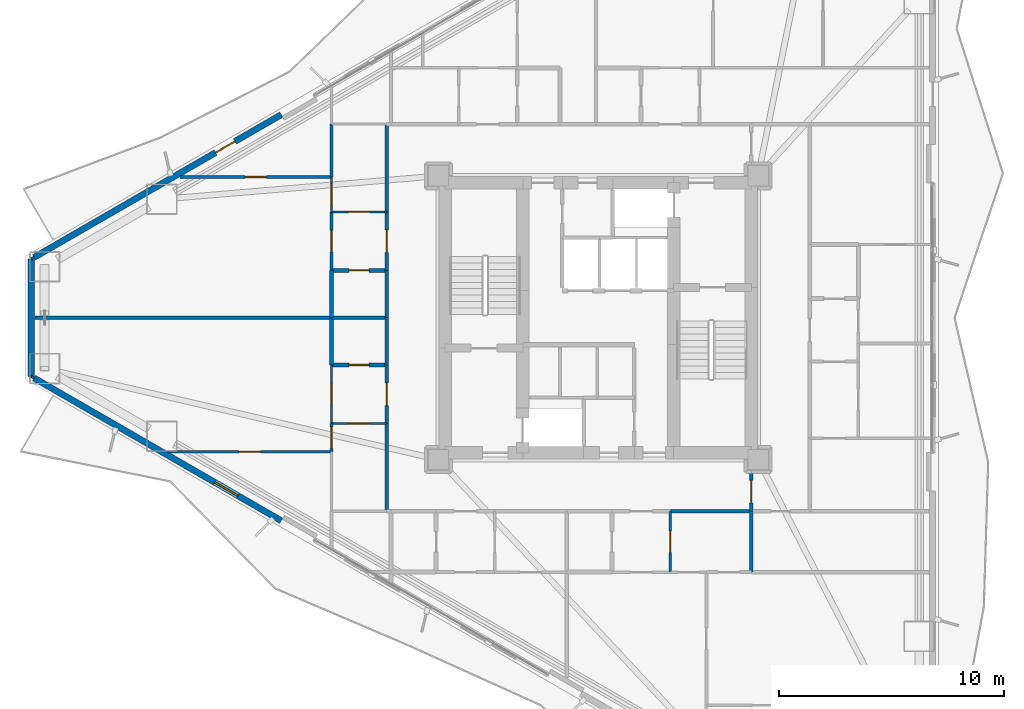
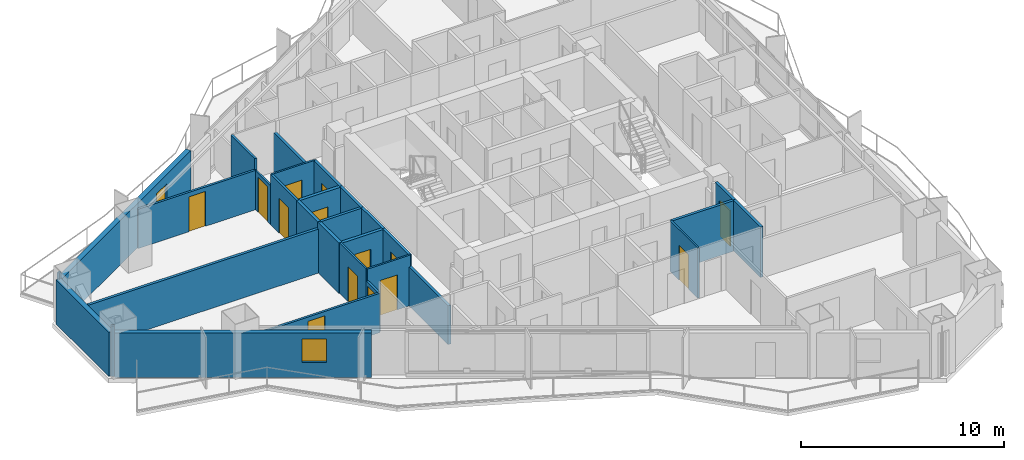
# One storey, part 12 of 18: 30 walls, 15 doors, 1 window, 16 openings.
"""IFC4 building model written with IfcOpenShell, lengths in metres."""

from ifc_helpers import new_model, si_unit, direction, frame, frame_2d, origin, place, context, subcontext, project, spatial, rectangle, extrude, material, layer, layer_set, type_object, element, fill, save


model = new_model("IFC4")

# Units and contexts
model_context = context("Model", 3, precision=1e-05, world=origin(), true_north=direction((0.0, 1.0)))
body_context = subcontext(model_context, "Body", "Model", "MODEL_VIEW")
ifc_project = project(units=[si_unit("LENGTHUNIT", "METRE"), si_unit("AREAUNIT", "SQUARE_METRE"), si_unit("VOLUMEUNIT", "CUBIC_METRE"), si_unit("PLANEANGLEUNIT", "RADIAN"), si_unit("MASSUNIT", "GRAM", prefix="KILO")], contexts=[model_context])

# Site, building, storey
site_placement = place(None, origin())
site = spatial("IfcSite", under=ifc_project, at=site_placement, CompositionType="ELEMENT")
building_placement = place(site_placement, origin())
building = spatial("IfcBuilding", under=site, at=building_placement, Name="Mersakhor Tower and Convention Hall", CompositionType="ELEMENT")
storey_placement = place(building_placement, frame((0.0, 0.0, 35.699951171875)))
storey = spatial("IfcBuildingStorey", under=building, at=storey_placement, Name="L09", CompositionType="ELEMENT", Elevation=35.699951171875)

# Wall
ifc_material_1 = material(Name="Precast concrete C45/55", Category="concrete")
ifc_layer_1 = layer(ifc_material_1, 0.27490234375)
ifc_layer_set_1 = layer_set([ifc_layer_1], Name="Precast concrete C45/55")
wall_type_1 = type_object("IfcWallType", Name="WL-EXT-275", PredefinedType="SOLIDWALL", material=ifc_layer_set_1)
wall_1_placement = place(storey_placement, frame((3.81298828125, 24.144287109375, 0.0), z_axis=(0.0, 0.0, 1.0), x_axis=(0.0, 1.0, 0.0)))
element("IfcWall", 1, at=wall_1_placement, inside=storey, type_object=wall_type_1, Name="L09 Chamfer Braced Spandrel Wall C3", PredefinedType="SOLIDWALL", context=body_context, shape_type="SweptSolid", body=[
    extrude(rectangle(XDim=5.21142578125, YDim=0.27490234375, at=frame_2d((2.605712890625, 0.0))), origin(), (0.0, 0.0, 1.0), 2.66015625),
])

# Wall, opening, door
wall_2_placement = place(storey_placement, frame((3.943115234375, 29.4306640625, 0.0), z_axis=(0.0, 0.0, 1.0), x_axis=(0.866027105532, 0.499997052475, 0.0)))
wall_2 = element("IfcWall", 2, at=wall_2_placement, inside=storey, type_object=wall_type_1, Name="L09 Exterior Facade Wall F1-B1", PredefinedType="SOLIDWALL", context=body_context, shape_type="SweptSolid", body=[
    extrude(rectangle(XDim=12.6728515625, YDim=0.27490234375, at=frame_2d((6.33642578125, 0.0))), origin(), (0.0, 0.0, 1.0), 2.66015625),
])
opening_1_placement = place(wall_2_placement, frame((9.298095703125, 0.0, 0.0)))
opening_1 = element("IfcOpeningElement", 3, at=opening_1_placement, cuts=wall_2, Name="Opening BD-01", PredefinedType="OPENING", context=body_context, shape_type="SweptSolid", body=[
    extrude(rectangle(XDim=1.0, YDim=2.10009765625, at=frame_2d((0.5, 1.050048828125))), frame((0.0, 0.1474609375, 0.0), z_axis=(0.0, -1.0, 0.0), x_axis=(1.0, 0.0, 0.0)), (0.0, 0.0, 1.0), 0.294921875),
])
ifc_material_2 = material(Name="Thermally broken dark aluminium and safety glass", Category="aluminium")
door_type_1 = type_object("IfcDoorType", Name="DR-BAL-100x210", OperationType="NOTDEFINED", PredefinedType="DOOR", material=ifc_material_2)
door_1_placement = place(opening_1_placement, origin())
door_1 = element("IfcDoor", 4, at=door_1_placement, inside=storey, type_object=door_type_1, Name="L09 Balcony Terrace Door F1-B1", OperationType="SINGLE_SWING_LEFT", OverallHeight=2.10009765625, OverallWidth=1.0, PredefinedType="DOOR", context=body_context, shape_type="SweptSolid", body=[
    extrude(rectangle(XDim=1.0, YDim=2.10009765625, at=frame_2d((0.5, 1.050048828125))), frame((0.0, 0.02490234375, 0.0), z_axis=(0.0, -1.0, 0.0), x_axis=(1.0, 0.0, 0.0)), (0.0, 0.0, 1.0), 0.050048828125),
])
fill(opening_1, door_1)

# Wall, opening, window
wall_3_placement = place(storey_placement, frame((14.918212890625, 17.73291015625, 0.0), z_axis=(0.0, 0.0, 1.0), x_axis=(-0.866027105532, 0.499997052475, 0.0)))
wall_3 = element("IfcWall", 5, at=wall_3_placement, inside=storey, type_object=wall_type_1, Name="L09 Exterior Facade Wall F3-B3", PredefinedType="SOLIDWALL", context=body_context, shape_type="SweptSolid", body=[
    extrude(rectangle(XDim=12.6728515625, YDim=0.27490234375, at=frame_2d((6.33642578125, 0.0))), origin(), (0.0, 0.0, 1.0), 2.66015625),
])
opening_2_placement = place(wall_3_placement, frame((2.216064453125, 0.0, 0.89990234375)))
opening_2 = element("IfcOpeningElement", 6, at=opening_2_placement, cuts=wall_3, Name="Opening W-01", PredefinedType="OPENING", context=body_context, shape_type="SweptSolid", body=[
    extrude(rectangle(XDim=1.199951171875, YDim=1.39990234375, at=frame_2d((0.60009765625, 0.699951171875))), frame((0.0, 0.1474609375, 0.0), z_axis=(0.0, -1.0, 0.0), x_axis=(1.0, 0.0, 0.0)), (0.0, 0.0, 1.0), 0.294921875),
])
ifc_material_3 = material(Name="Dark solar low-E glazed aluminium window", Category="aluminium")
window_type = type_object("IfcWindowType", Name="WN-RES-120x150", PartitioningType="SINGLE_PANEL", PredefinedType="WINDOW", material=ifc_material_3)
window_placement = place(opening_2_placement, origin())
window = element("IfcWindow", 7, at=window_placement, inside=storey, type_object=window_type, Name="L09 Bedroom Facade Window F3-B3-1", OverallHeight=1.39990234375, OverallWidth=1.199951171875, PartitioningType="SINGLE_PANEL", PredefinedType="WINDOW", context=body_context, shape_type="SweptSolid", body=[
    extrude(rectangle(XDim=1.199951171875, YDim=1.39990234375, at=frame_2d((0.60009765625, 0.699951171875))), frame((0.0, 0.030029296875, 0.0), z_axis=(0.0, -1.0, 0.0), x_axis=(1.0, 0.0, 0.0)), (0.0, 0.0, 1.0), 0.06005859375),
])
fill(opening_2, window)

# Wall, opening, door
ifc_material_4 = material(Name="Moisture-resistant acoustic drywall studwork", Category="other")
ifc_layer_2 = layer(ifc_material_4, 0.175048828125)
ifc_layer_set_2 = layer_set([ifc_layer_2], Name="Moisture-resistant acoustic drywall studwork")
wall_type_2 = type_object("IfcWallType", Name="WL-PLM-175", PredefinedType="PLUMBINGWALL", material=ifc_layer_set_2)
wall_4_placement = place(storey_placement, frame((19.60009765625, 28.85009765625, 0.0), z_axis=(0.0, 0.0, 1.0), x_axis=(-1.0, 0.0, 0.0)))
wall_4 = element("IfcWall", 8, at=wall_4_placement, inside=storey, type_object=wall_type_2, Name="L09 Interior Partition Wall P-081", PredefinedType="PLUMBINGWALL", context=body_context, shape_type="SweptSolid", body=[
    extrude(rectangle(XDim=2.4501953125, YDim=0.175048828125, at=frame_2d((1.22509765625, 0.0))), origin(), (0.0, 0.0, 1.0), 3.0400390625),
])
opening_3_placement = place(wall_4_placement, frame((0.77490234375, 0.0, 0.0)))
opening_3 = element("IfcOpeningElement", 9, at=opening_3_placement, cuts=wall_4, Name="Opening WD-01", PredefinedType="OPENING", context=body_context, shape_type="SweptSolid", body=[
    extrude(rectangle(XDim=0.89990234375, YDim=2.10009765625, at=frame_2d((0.449951171875, 1.050048828125))), frame((0.0, 0.097412109375, 0.0), z_axis=(0.0, -1.0, 0.0), x_axis=(1.0, 0.0, 0.0)), (0.0, 0.0, 1.0), 0.195068359375),
])
ifc_material_5 = material(Name="Solid-core hardwood leaf in painted steel frame", Category="steel")
door_type_2 = type_object("IfcDoorType", Name="DR-INT-WET-090x210", OperationType="NOTDEFINED", PredefinedType="DOOR", material=ifc_material_5)
door_2_placement = place(opening_3_placement, origin())
door_2 = element("IfcDoor", 10, at=door_2_placement, inside=storey, type_object=door_type_2, Name="L09 L09 Flat W5 Apartment Hall to L09 Flat W5 Bathroom Door", OperationType="SINGLE_SWING_RIGHT", OverallHeight=2.10009765625, OverallWidth=0.89990234375, PredefinedType="DOOR", context=body_context, shape_type="SweptSolid", body=[
    extrude(rectangle(XDim=0.89990234375, YDim=2.10009765625, at=frame_2d((0.449951171875, 1.050048828125))), frame((0.0, 0.02490234375, 0.0), z_axis=(0.0, -1.0, 0.0), x_axis=(1.0, 0.0, 0.0)), (0.0, 0.0, 1.0), 0.050048828125),
])
fill(opening_3, door_2)

wall_5_placement = place(storey_placement, frame((17.14990234375, 24.64990234375, 0.0), z_axis=(0.0, 0.0, 1.0), x_axis=(1.0, 0.0, 0.0)))
wall_5 = element("IfcWall", 11, at=wall_5_placement, inside=storey, type_object=wall_type_2, Name="L09 Interior Partition Wall P-083", PredefinedType="PLUMBINGWALL", context=body_context, shape_type="SweptSolid", body=[
    extrude(rectangle(XDim=2.4501953125, YDim=0.175048828125, at=frame_2d((1.22509765625, 0.0))), origin(), (0.0, 0.0, 1.0), 3.0400390625),
])
opening_4_placement = place(wall_5_placement, frame((0.77490234375, 0.0, 0.0)))
opening_4 = element("IfcOpeningElement", 12, at=opening_4_placement, cuts=wall_5, Name="Opening WD-01", PredefinedType="OPENING", context=body_context, shape_type="SweptSolid", body=[
    extrude(rectangle(XDim=0.89990234375, YDim=2.10009765625, at=frame_2d((0.449951171875, 1.050048828125))), frame((0.0, 0.097412109375, 0.0), z_axis=(0.0, -1.0, 0.0), x_axis=(1.0, 0.0, 0.0)), (0.0, 0.0, 1.0), 0.195068359375),
])
door_3_placement = place(opening_4_placement, origin())
door_3 = element("IfcDoor", 13, at=door_3_placement, inside=storey, type_object=door_type_2, Name="L09 L09 Flat W6 Apartment Hall to L09 Flat W6 Bathroom Door", OperationType="SINGLE_SWING_LEFT", OverallHeight=2.10009765625, OverallWidth=0.89990234375, PredefinedType="DOOR", context=body_context, shape_type="SweptSolid", body=[
    extrude(rectangle(XDim=0.89990234375, YDim=2.10009765625, at=frame_2d((0.449951171875, 1.050048828125))), frame((0.0, 0.02490234375, 0.0), z_axis=(0.0, -1.0, 0.0), x_axis=(1.0, 0.0, 0.0)), (0.0, 0.0, 1.0), 0.050048828125),
])
fill(opening_4, door_3)

# Walls
for number, where, z_axis, x_axis, name in (
    (14, (17.14990234375, 26.75, 0.0), (0.0, 0.0, 1.0), (0.0, 1.0, 0.0), "L09 Interior Partition Wall P-108"),
    (15, (17.14990234375, 24.64990234375, 0.0), (0.0, 0.0, 1.0), (0.0, 1.0, 0.0), "L09 Interior Partition Wall P-113"),
):
    element("IfcWall", number, at=place(storey_placement, frame(where, z_axis=z_axis, x_axis=x_axis)), inside=storey, type_object=wall_type_2, Name=name, PredefinedType="PLUMBINGWALL", context=body_context, shape_type="SweptSolid", body=[
        extrude(rectangle(XDim=2.10009765625, YDim=0.175048828125, at=frame_2d((1.050048828125, 0.0))), origin(), (0.0, 0.0, 1.0), 3.0400390625),
    ])

# Wall, opening, door
ifc_material_6 = material(Name="Lightweight gypsum partition", Category="other")
ifc_layer_3 = layer(ifc_material_6, 0.10009765625)
ifc_layer_set_3 = layer_set([ifc_layer_3], Name="Lightweight gypsum partition")
wall_type_3 = type_object("IfcWallType", Name="WL-PRT-100", PredefinedType="PARTITIONING", material=ifc_layer_set_3)
wall_6_placement = place(storey_placement, frame((32.199951171875, 18.14990234375, 0.0), z_axis=(0.0, 0.0, 1.0), x_axis=(0.0, -1.0, 0.0)))
wall_6 = element("IfcWall", 16, at=wall_6_placement, inside=storey, type_object=wall_type_3, Name="L09 Interior Partition Wall P-078", PredefinedType="PARTITIONING", context=body_context, shape_type="SweptSolid", body=[
    extrude(rectangle(XDim=2.699951171875, YDim=0.10009765625, at=frame_2d((1.35009765625, 0.0))), origin(), (0.0, 0.0, 1.0), 3.0400390625),
])
opening_5_placement = place(wall_6_placement, frame((0.875, 0.0, 0.0)))
opening_5 = element("IfcOpeningElement", 17, at=opening_5_placement, cuts=wall_6, Name="Opening RD-01", PredefinedType="OPENING", context=body_context, shape_type="SweptSolid", body=[
    extrude(rectangle(XDim=0.949951171875, YDim=2.10009765625, at=frame_2d((0.47509765625, 1.050048828125))), frame((0.0, 0.06005859375, 0.0), z_axis=(0.0, -1.0, 0.0), x_axis=(1.0, 0.0, 0.0)), (0.0, 0.0, 1.0), 0.1201171875),
])
ifc_material_7 = material(Name="Solid-core hardwood leaf in painted steel frame", Category="steel")
door_type_3 = type_object("IfcDoorType", Name="DR-INT-RM-095x210", OperationType="NOTDEFINED", PredefinedType="DOOR", material=ifc_material_7)
door_4_placement = place(opening_5_placement, origin())
door_4 = element("IfcDoor", 18, at=door_4_placement, inside=storey, type_object=door_type_3, Name="L09 L09 Flat S4 Apartment Hall to L09 Flat S4 Kitchen Door", OperationType="SINGLE_SWING_RIGHT", OverallHeight=2.10009765625, OverallWidth=0.949951171875, PredefinedType="DOOR", context=body_context, shape_type="SweptSolid", body=[
    extrude(rectangle(XDim=0.949951171875, YDim=2.10009765625, at=frame_2d((0.47509765625, 1.050048828125))), frame((0.0, 0.02490234375, 0.0), z_axis=(0.0, -1.0, 0.0), x_axis=(1.0, 0.0, 0.0)), (0.0, 0.0, 1.0), 0.050048828125),
])
fill(opening_5, door_4)

wall_7_placement = place(storey_placement, frame((17.14990234375, 31.449951171875, 0.0), z_axis=(0.0, 0.0, 1.0), x_axis=(1.0, 0.0, 0.0)))
wall_7 = element("IfcWall", 19, at=wall_7_placement, inside=storey, type_object=wall_type_3, Name="L09 Interior Partition Wall P-080", PredefinedType="PARTITIONING", context=body_context, shape_type="SweptSolid", body=[
    extrude(rectangle(XDim=2.4501953125, YDim=0.10009765625, at=frame_2d((1.22509765625, 0.0))), origin(), (0.0, 0.0, 1.0), 3.0400390625),
])
opening_6_placement = place(wall_7_placement, frame((0.75, 0.0, 0.0)))
opening_6 = element("IfcOpeningElement", 20, at=opening_6_placement, cuts=wall_7, Name="Opening RD-01", PredefinedType="OPENING", context=body_context, shape_type="SweptSolid", body=[
    extrude(rectangle(XDim=0.949951171875, YDim=2.10009765625, at=frame_2d((0.47509765625, 1.050048828125))), frame((0.0, 0.06005859375, 0.0), z_axis=(0.0, -1.0, 0.0), x_axis=(1.0, 0.0, 0.0)), (0.0, 0.0, 1.0), 0.1201171875),
])
door_5_placement = place(opening_6_placement, origin())
door_5 = element("IfcDoor", 21, at=door_5_placement, inside=storey, type_object=door_type_3, Name="L09 L09 Flat W5 Apartment Hall to L09 Flat W5 Kitchen Door", OperationType="SINGLE_SWING_LEFT", OverallHeight=2.10009765625, OverallWidth=0.949951171875, PredefinedType="DOOR", context=body_context, shape_type="SweptSolid", body=[
    extrude(rectangle(XDim=0.949951171875, YDim=2.10009765625, at=frame_2d((0.47509765625, 1.050048828125))), frame((0.0, 0.02490234375, 0.0), z_axis=(0.0, -1.0, 0.0), x_axis=(1.0, 0.0, 0.0)), (0.0, 0.0, 1.0), 0.050048828125),
])
fill(opening_6, door_5)

wall_8_placement = place(storey_placement, frame((17.14990234375, 22.050048828125, 0.0), z_axis=(0.0, 0.0, 1.0), x_axis=(0.0, 1.0, 0.0)))
wall_8 = element("IfcWall", 22, at=wall_8_placement, inside=storey, type_object=wall_type_3, Name="L09 Interior Partition Wall P-082", PredefinedType="PARTITIONING", context=body_context, shape_type="SweptSolid", body=[
    extrude(rectangle(XDim=2.599853515625, YDim=0.10009765625, at=frame_2d((1.2998046875, 0.0))), origin(), (0.0, 0.0, 1.0), 3.0400390625),
])
opening_7_placement = place(wall_8_placement, frame((0.824951171875, 0.0, 0.0)))
opening_7 = element("IfcOpeningElement", 23, at=opening_7_placement, cuts=wall_8, Name="Opening RD-01", PredefinedType="OPENING", context=body_context, shape_type="SweptSolid", body=[
    extrude(rectangle(XDim=0.949951171875, YDim=2.10009765625, at=frame_2d((0.47509765625, 1.050048828125))), frame((0.0, 0.06005859375, 0.0), z_axis=(0.0, -1.0, 0.0), x_axis=(1.0, 0.0, 0.0)), (0.0, 0.0, 1.0), 0.1201171875),
])
door_6_placement = place(opening_7_placement, origin())
door_6 = element("IfcDoor", 24, at=door_6_placement, inside=storey, type_object=door_type_3, Name="L09 L09 Flat W6 Apartment Hall to L09 Flat W6 Living and Dining Room Door", OperationType="SINGLE_SWING_LEFT", OverallHeight=2.10009765625, OverallWidth=0.949951171875, PredefinedType="DOOR", context=body_context, shape_type="SweptSolid", body=[
    extrude(rectangle(XDim=0.949951171875, YDim=2.10009765625, at=frame_2d((0.47509765625, 1.050048828125))), frame((0.0, 0.02490234375, 0.0), z_axis=(0.0, -1.0, 0.0), x_axis=(1.0, 0.0, 0.0)), (0.0, 0.0, 1.0), 0.050048828125),
])
fill(opening_7, door_6)

wall_9_placement = place(storey_placement, frame((19.60009765625, 22.050048828125, 0.0), z_axis=(0.0, 0.0, 1.0), x_axis=(-1.0, 0.0, 0.0)))
wall_9 = element("IfcWall", 25, at=wall_9_placement, inside=storey, type_object=wall_type_3, Name="L09 Interior Partition Wall P-084", PredefinedType="PARTITIONING", context=body_context, shape_type="SweptSolid", body=[
    extrude(rectangle(XDim=2.4501953125, YDim=0.10009765625, at=frame_2d((1.22509765625, 0.0))), origin(), (0.0, 0.0, 1.0), 3.0400390625),
])
opening_8_placement = place(wall_9_placement, frame((0.75, 0.0, 0.0)))
opening_8 = element("IfcOpeningElement", 26, at=opening_8_placement, cuts=wall_9, Name="Opening RD-01", PredefinedType="OPENING", context=body_context, shape_type="SweptSolid", body=[
    extrude(rectangle(XDim=0.949951171875, YDim=2.10009765625, at=frame_2d((0.47509765625, 1.050048828125))), frame((0.0, 0.06005859375, 0.0), z_axis=(0.0, -1.0, 0.0), x_axis=(1.0, 0.0, 0.0)), (0.0, 0.0, 1.0), 0.1201171875),
])
door_7_placement = place(opening_8_placement, origin())
door_7 = element("IfcDoor", 27, at=door_7_placement, inside=storey, type_object=door_type_3, Name="L09 L09 Flat W6 Apartment Hall to L09 Flat W6 Kitchen Door", OperationType="SINGLE_SWING_RIGHT", OverallHeight=2.10009765625, OverallWidth=0.949951171875, PredefinedType="DOOR", context=body_context, shape_type="SweptSolid", body=[
    extrude(rectangle(XDim=0.949951171875, YDim=2.10009765625, at=frame_2d((0.47509765625, 1.050048828125))), frame((0.0, 0.02490234375, 0.0), z_axis=(0.0, -1.0, 0.0), x_axis=(1.0, 0.0, 0.0)), (0.0, 0.0, 1.0), 0.050048828125),
])
fill(opening_8, door_7)

wall_10_placement = place(storey_placement, frame((17.14990234375, 31.449951171875, 0.0), z_axis=(0.0, 0.0, 1.0), x_axis=(0.0, 1.0, 0.0)))
wall_10 = element("IfcWall", 28, at=wall_10_placement, inside=storey, type_object=wall_type_3, Name="L09 Interior Partition Wall P-110", PredefinedType="PARTITIONING", context=body_context, shape_type="SweptSolid", body=[
    extrude(rectangle(XDim=1.550048828125, YDim=0.10009765625, at=frame_2d((0.77490234375, 0.0))), origin(), (0.0, 0.0, 1.0), 2.337646484375),
])
opening_9_placement = place(wall_10_placement, frame((0.300048828125, 0.0, 0.0)))
opening_9 = element("IfcOpeningElement", 29, at=opening_9_placement, cuts=wall_10, Name="Opening RD-01", PredefinedType="OPENING", context=body_context, shape_type="SweptSolid", body=[
    extrude(rectangle(XDim=0.949951171875, YDim=2.10009765625, at=frame_2d((0.47509765625, 1.050048828125))), frame((0.0, 0.06005859375, 0.0), z_axis=(0.0, -1.0, 0.0), x_axis=(1.0, 0.0, 0.0)), (0.0, 0.0, 1.0), 0.1201171875),
])
door_8_placement = place(opening_9_placement, origin())
door_8 = element("IfcDoor", 30, at=door_8_placement, inside=storey, type_object=door_type_3, Name="L09 L09 Flat W5 Kitchen to L09 Flat W5 Living and Dining Room Door", OperationType="SINGLE_SWING_RIGHT", OverallHeight=2.10009765625, OverallWidth=0.949951171875, PredefinedType="DOOR", context=body_context, shape_type="SweptSolid", body=[
    extrude(rectangle(XDim=0.949951171875, YDim=2.10009765625, at=frame_2d((0.47509765625, 1.050048828125))), frame((0.0, 0.02490234375, 0.0), z_axis=(0.0, -1.0, 0.0), x_axis=(1.0, 0.0, 0.0)), (0.0, 0.0, 1.0), 0.050048828125),
])
fill(opening_9, door_8)

# Wall
wall_11_placement = place(storey_placement, frame((3.94287109375, 24.069091796875, 0.0), z_axis=(0.0, 0.0, 1.0), x_axis=(-0.866131372301, 0.499816412211, 0.0)))
element("IfcWall", 31, at=wall_11_placement, inside=storey, type_object=wall_type_3, Name="L09 Interior Partition Wall P-144", PredefinedType="PARTITIONING", context=body_context, shape_type="SweptSolid", body=[
    extrude(rectangle(XDim=0.14990234375, YDim=0.10009765625, at=frame_2d((0.074951171875, 0.0))), origin(), (0.0, 0.0, 1.0), 3.0400390625),
])

# Wall, opening, door
ifc_material_8 = material(Name="Gypsum board acoustic partition", Category="other")
ifc_layer_4 = layer(ifc_material_8, 0.125)
ifc_layer_set_4 = layer_set([ifc_layer_4], Name="Gypsum board acoustic partition")
wall_type_4 = type_object("IfcWallType", Name="WL-PRT-125", PredefinedType="PARTITIONING", material=ifc_layer_set_4)
wall_12_placement = place(storey_placement, frame((17.14990234375, 28.85009765625, 0.0), z_axis=(0.0, 0.0, 1.0), x_axis=(0.0, 1.0, 0.0)))
wall_12 = element("IfcWall", 32, at=wall_12_placement, inside=storey, type_object=wall_type_4, Name="L09 Interior Partition Wall P-079", PredefinedType="PARTITIONING", context=body_context, shape_type="SweptSolid", body=[
    extrude(rectangle(XDim=2.599853515625, YDim=0.125, at=frame_2d((1.2998046875, 0.0))), origin(), (0.0, 0.0, 1.0), 3.0400390625),
])
opening_10_placement = place(wall_12_placement, frame((0.824951171875, 0.0, 0.0)))
opening_10 = element("IfcOpeningElement", 33, at=opening_10_placement, cuts=wall_12, Name="Opening RD-01", PredefinedType="OPENING", context=body_context, shape_type="SweptSolid", body=[
    extrude(rectangle(XDim=0.949951171875, YDim=2.10009765625, at=frame_2d((0.47509765625, 1.050048828125))), frame((0.0, 0.072509765625, 0.0), z_axis=(0.0, -1.0, 0.0), x_axis=(1.0, 0.0, 0.0)), (0.0, 0.0, 1.0), 0.14501953125),
])
door_9_placement = place(opening_10_placement, origin())
door_9 = element("IfcDoor", 34, at=door_9_placement, inside=storey, type_object=door_type_3, Name="L09 L09 Flat W5 Apartment Hall to L09 Flat W5 Living and Dining Room Door", OperationType="SINGLE_SWING_RIGHT", OverallHeight=2.10009765625, OverallWidth=0.949951171875, PredefinedType="DOOR", context=body_context, shape_type="SweptSolid", body=[
    extrude(rectangle(XDim=0.949951171875, YDim=2.10009765625, at=frame_2d((0.47509765625, 1.050048828125))), frame((0.0, 0.02490234375, 0.0), z_axis=(0.0, -1.0, 0.0), x_axis=(1.0, 0.0, 0.0)), (0.0, 0.0, 1.0), 0.050048828125),
])
fill(opening_10, door_9)

# Wall
wall_13_placement = place(storey_placement, frame((17.14990234375, 33.0, 0.0), z_axis=(0.0, 0.0, 1.0), x_axis=(0.0, 1.0, 0.0)))
element("IfcWall", 35, at=wall_13_placement, inside=storey, type_object=wall_type_4, Name="L09 Interior Partition Wall P-111", PredefinedType="PARTITIONING", context=body_context, shape_type="SweptSolid", body=[
    extrude(rectangle(XDim=2.35009765625, YDim=0.125, at=frame_2d((1.175048828125, 0.0))), origin(), (0.0, 0.0, 1.0), 3.0400390625),
])

# Wall, opening, door
wall_14_placement = place(storey_placement, frame((17.14990234375, 20.800048828125, 0.0), z_axis=(0.0, 0.0, 1.0), x_axis=(0.0, 1.0, 0.0)))
wall_14 = element("IfcWall", 36, at=wall_14_placement, inside=storey, type_object=wall_type_4, Name="L09 Interior Partition Wall P-115", PredefinedType="PARTITIONING", context=body_context, shape_type="SweptSolid", body=[
    extrude(rectangle(XDim=1.25, YDim=0.125, at=frame_2d((0.625, 0.0))), origin(), (0.0, 0.0, 1.0), 2.337646484375),
])
opening_11_placement = place(wall_14_placement, frame((0.14990234375, 0.0, 0.0)))
opening_11 = element("IfcOpeningElement", 37, at=opening_11_placement, cuts=wall_14, Name="Opening RD-01", PredefinedType="OPENING", context=body_context, shape_type="SweptSolid", body=[
    extrude(rectangle(XDim=0.949951171875, YDim=2.10009765625, at=frame_2d((0.47509765625, 1.050048828125))), frame((0.0, 0.072509765625, 0.0), z_axis=(0.0, -1.0, 0.0), x_axis=(1.0, 0.0, 0.0)), (0.0, 0.0, 1.0), 0.14501953125),
])
door_10_placement = place(opening_11_placement, origin())
door_10 = element("IfcDoor", 38, at=door_10_placement, inside=storey, type_object=door_type_3, Name="L09 L09 Flat W6 Kitchen to L09 Flat W6 Living and Dining Room Door", OperationType="SINGLE_SWING_LEFT", OverallHeight=2.10009765625, OverallWidth=0.949951171875, PredefinedType="DOOR", context=body_context, shape_type="SweptSolid", body=[
    extrude(rectangle(XDim=0.949951171875, YDim=2.10009765625, at=frame_2d((0.47509765625, 1.050048828125))), frame((0.0, 0.02490234375, 0.0), z_axis=(0.0, -1.0, 0.0), x_axis=(1.0, 0.0, 0.0)), (0.0, 0.0, 1.0), 0.050048828125),
])
fill(opening_11, door_10)

wall_15_placement = place(storey_placement, frame((10.4189453125, 33.0, 0.0), z_axis=(0.0, 0.0, 1.0), x_axis=(1.0, 0.0, 0.0)))
wall_15 = element("IfcWall", 39, at=wall_15_placement, inside=storey, type_object=wall_type_4, Name="L09 Interior Partition Wall P-139", PredefinedType="PARTITIONING", context=body_context, shape_type="SweptSolid", body=[
    extrude(rectangle(XDim=6.73095703125, YDim=0.125, at=frame_2d((3.365478515625, 0.0))), origin(), (0.0, 0.0, 1.0), 2.364990234375),
])
opening_12_placement = place(wall_15_placement, frame((2.890380859375, 0.0, 0.0)))
opening_12 = element("IfcOpeningElement", 40, at=opening_12_placement, cuts=wall_15, Name="Opening RD-01", PredefinedType="OPENING", context=body_context, shape_type="SweptSolid", body=[
    extrude(rectangle(XDim=0.949951171875, YDim=2.10009765625, at=frame_2d((0.47509765625, 1.050048828125))), frame((0.0, 0.072509765625, 0.0), z_axis=(0.0, -1.0, 0.0), x_axis=(1.0, 0.0, 0.0)), (0.0, 0.0, 1.0), 0.14501953125),
])
door_11_placement = place(opening_12_placement, origin())
door_11 = element("IfcDoor", 41, at=door_11_placement, inside=storey, type_object=door_type_3, Name="L09 L09 Flat W5 Living and Dining Room to L09 Flat W5 Bedroom 1 Door", OperationType="SINGLE_SWING_RIGHT", OverallHeight=2.10009765625, OverallWidth=0.949951171875, PredefinedType="DOOR", context=body_context, shape_type="SweptSolid", body=[
    extrude(rectangle(XDim=0.949951171875, YDim=2.10009765625, at=frame_2d((0.47509765625, 1.050048828125))), frame((0.0, 0.02490234375, 0.0), z_axis=(0.0, -1.0, 0.0), x_axis=(1.0, 0.0, 0.0)), (0.0, 0.0, 1.0), 0.050048828125),
])
fill(opening_12, door_11)

# Wall
wall_16_placement = place(storey_placement, frame((3.81298828125, 29.35595703125, 0.0), z_axis=(0.0, 0.0, 1.0), x_axis=(0.866131372301, 0.499816412211, 0.0)))
element("IfcWall", 42, at=wall_16_placement, inside=storey, type_object=wall_type_4, Name="L09 Interior Partition Wall P-141", PredefinedType="PARTITIONING", context=body_context, shape_type="SweptSolid", body=[
    extrude(rectangle(XDim=0.14990234375, YDim=0.125, at=frame_2d((0.074951171875, 0.0))), origin(), (0.0, 0.0, 1.0), 3.0400390625),
])

# Wall, opening, door
wall_17_placement = place(storey_placement, frame((17.14990234375, 20.800048828125, 0.0), z_axis=(0.0, 0.0, 1.0), x_axis=(-1.0, 0.0, 0.0)))
wall_17 = element("IfcWall", 43, at=wall_17_placement, inside=storey, type_object=wall_type_4, Name="L09 Interior Partition Wall P-143", PredefinedType="PARTITIONING", context=body_context, shape_type="SweptSolid", body=[
    extrude(rectangle(XDim=7.25048828125, YDim=0.125, at=frame_2d((3.625244140625, 0.0))), origin(), (0.0, 0.0, 1.0), 2.364990234375),
])
opening_13_placement = place(wall_17_placement, frame((3.150390625, 0.0, 0.0)))
opening_13 = element("IfcOpeningElement", 44, at=opening_13_placement, cuts=wall_17, Name="Opening RD-01", PredefinedType="OPENING", context=body_context, shape_type="SweptSolid", body=[
    extrude(rectangle(XDim=0.949951171875, YDim=2.10009765625, at=frame_2d((0.47509765625, 1.050048828125))), frame((0.0, 0.072509765625, 0.0), z_axis=(0.0, -1.0, 0.0), x_axis=(1.0, 0.0, 0.0)), (0.0, 0.0, 1.0), 0.14501953125),
])
door_12_placement = place(opening_13_placement, origin())
door_12 = element("IfcDoor", 45, at=door_12_placement, inside=storey, type_object=door_type_3, Name="L09 L09 Flat W6 Living and Dining Room to L09 Flat W6 Bedroom 1 Door", OperationType="SINGLE_SWING_LEFT", OverallHeight=2.10009765625, OverallWidth=0.949951171875, PredefinedType="DOOR", context=body_context, shape_type="SweptSolid", body=[
    extrude(rectangle(XDim=0.949951171875, YDim=2.10009765625, at=frame_2d((0.47509765625, 1.050048828125))), frame((0.0, 0.02490234375, 0.0), z_axis=(0.0, -1.0, 0.0), x_axis=(1.0, 0.0, 0.0)), (0.0, 0.0, 1.0), 0.050048828125),
])
fill(opening_13, door_12)

ifc_material_9 = material(Name="Fire-rated gypsum board stud partition", Category="other")
ifc_layer_5 = layer(ifc_material_9, 0.14990234375)
ifc_layer_set_5 = layer_set([ifc_layer_5], Name="Fire-rated gypsum board stud partition")
wall_type_5 = type_object("IfcWallType", Name="WL-PRT-150", PredefinedType="PARTITIONING", material=ifc_layer_set_5)
wall_18_placement = place(storey_placement, frame((35.800048828125, 19.89990234375, 0.0), z_axis=(0.0, 0.0, 1.0), x_axis=(0.0, -1.0, 0.0)))
wall_18 = element("IfcWall", 46, at=wall_18_placement, inside=storey, type_object=wall_type_5, Name="L09 Interior Partition Wall P-023", PredefinedType="PARTITIONING", context=body_context, shape_type="SweptSolid", body=[
    extrude(rectangle(XDim=1.75, YDim=0.14990234375, at=frame_2d((0.875, 0.0))), origin(), (0.0, 0.0, 1.0), 3.0400390625),
])
opening_14_placement = place(wall_18_placement, frame((0.375, 0.0, 0.0)))
opening_14 = element("IfcOpeningElement", 47, at=opening_14_placement, cuts=wall_18, Name="Opening FD-01", PredefinedType="OPENING", context=body_context, shape_type="SweptSolid", body=[
    extrude(rectangle(XDim=1.0, YDim=2.14990234375, at=frame_2d((0.5, 1.074951171875))), frame((0.0, 0.0849609375, 0.0), z_axis=(0.0, -1.0, 0.0), x_axis=(1.0, 0.0, 0.0)), (0.0, 0.0, 1.0), 0.169921875),
])
ifc_material_10 = material(Name="Fire-rated hardwood leaf and painted steel frame", Category="steel")
door_type_4 = type_object("IfcDoorType", Name="DR-INT-FLT-100x215", OperationType="NOTDEFINED", PredefinedType="DOOR", material=ifc_material_10)
door_13_placement = place(opening_14_placement, origin())
door_13 = element("IfcDoor", 48, at=door_13_placement, inside=storey, type_object=door_type_4, Name="L09 Ring Corridor Fire Door", OperationType="SINGLE_SWING_RIGHT", OverallHeight=2.14990234375, OverallWidth=1.0, PredefinedType="DOOR", context=body_context, shape_type="SweptSolid", body=[
    extrude(rectangle(XDim=1.0, YDim=2.14990234375, at=frame_2d((0.5, 1.074951171875))), frame((0.0, 0.02490234375, 0.0), z_axis=(0.0, -1.0, 0.0), x_axis=(1.0, 0.0, 0.0)), (0.0, 0.0, 1.0), 0.050048828125),
])
fill(opening_14, door_13)

# Walls
wall_19_placement = place(storey_placement, frame((35.800048828125, 18.14990234375, 0.0), z_axis=(0.0, 0.0, 1.0), x_axis=(-1.0, 0.0, 0.0)))
element("IfcWall", 49, at=wall_19_placement, inside=storey, type_object=wall_type_5, Name="L09 Interior Partition Wall P-024", PredefinedType="PARTITIONING", context=body_context, shape_type="SweptSolid", body=[
    extrude(rectangle(XDim=3.60009765625, YDim=0.14990234375, at=frame_2d((1.800048828125, 0.0))), origin(), (0.0, 0.0, 1.0), 3.0400390625),
])
wall_20_placement = place(storey_placement, frame((19.60009765625, 18.14990234375, 0.0), z_axis=(0.0, 0.0, 1.0), x_axis=(0.0, 1.0, 0.0)))
element("IfcWall", 50, at=wall_20_placement, inside=storey, type_object=wall_type_5, Name="L09 Interior Partition Wall P-031", PredefinedType="PARTITIONING", context=body_context, shape_type="SweptSolid", body=[
    extrude(rectangle(XDim=3.900146484375, YDim=0.14990234375, at=frame_2d((1.9501953125, 0.0))), origin(), (0.0, 0.0, 1.0), 2.337646484375),
])

# Wall, opening, door
wall_21_placement = place(storey_placement, frame((19.60009765625, 22.050048828125, 0.0), z_axis=(0.0, 0.0, 1.0), x_axis=(0.0, 1.0, 0.0)))
wall_21 = element("IfcWall", 51, at=wall_21_placement, inside=storey, type_object=wall_type_5, Name="L09 Interior Partition Wall P-032", PredefinedType="PARTITIONING", context=body_context, shape_type="SweptSolid", body=[
    extrude(rectangle(XDim=2.599853515625, YDim=0.14990234375, at=frame_2d((1.2998046875, 0.0))), origin(), (0.0, 0.0, 1.0), 3.0400390625),
])
opening_15_placement = place(wall_21_placement, frame((0.800048828125, 0.0, 0.0)))
opening_15 = element("IfcOpeningElement", 52, at=opening_15_placement, cuts=wall_21, Name="Opening FD-01", PredefinedType="OPENING", context=body_context, shape_type="SweptSolid", body=[
    extrude(rectangle(XDim=1.0, YDim=2.14990234375, at=frame_2d((0.5, 1.074951171875))), frame((0.0, 0.0849609375, 0.0), z_axis=(0.0, -1.0, 0.0), x_axis=(1.0, 0.0, 0.0)), (0.0, 0.0, 1.0), 0.169921875),
])
door_14_placement = place(opening_15_placement, origin())
door_14 = element("IfcDoor", 53, at=door_14_placement, inside=storey, type_object=door_type_4, Name="L09 Apartment Entrance Door (Residential Ring Corridor to L09 Flat W6 Apartment Hall)", OperationType="SINGLE_SWING_LEFT", OverallHeight=2.14990234375, OverallWidth=1.0, PredefinedType="DOOR", context=body_context, shape_type="SweptSolid", body=[
    extrude(rectangle(XDim=1.0, YDim=2.14990234375, at=frame_2d((0.5, 1.074951171875))), frame((0.0, 0.02490234375, 0.0), z_axis=(0.0, -1.0, 0.0), x_axis=(1.0, 0.0, 0.0)), (0.0, 0.0, 1.0), 0.050048828125),
])
fill(opening_15, door_14)

# Walls
for number, where, z_axis, x_axis, name in (
    (54, (19.60009765625, 24.64990234375, 0.0), (0.0, 0.0, 1.0), (0.0, 1.0, 0.0), "L09 Interior Partition Wall P-033"),
    (55, (19.60009765625, 26.75, 0.0), (0.0, 0.0, 1.0), (0.0, 1.0, 0.0), "L09 Interior Partition Wall P-034"),
):
    element("IfcWall", number, at=place(storey_placement, frame(where, z_axis=z_axis, x_axis=x_axis)), inside=storey, type_object=wall_type_5, Name=name, PredefinedType="PARTITIONING", context=body_context, shape_type="SweptSolid", body=[
        extrude(rectangle(XDim=2.10009765625, YDim=0.14990234375, at=frame_2d((1.050048828125, 0.0))), origin(), (0.0, 0.0, 1.0), 3.0400390625),
    ])

# Wall, opening, door
wall_22_placement = place(storey_placement, frame((19.60009765625, 28.85009765625, 0.0), z_axis=(0.0, 0.0, 1.0), x_axis=(0.0, 1.0, 0.0)))
wall_22 = element("IfcWall", 56, at=wall_22_placement, inside=storey, type_object=wall_type_5, Name="L09 Interior Partition Wall P-035", PredefinedType="PARTITIONING", context=body_context, shape_type="SweptSolid", body=[
    extrude(rectangle(XDim=2.599853515625, YDim=0.14990234375, at=frame_2d((1.2998046875, 0.0))), origin(), (0.0, 0.0, 1.0), 3.0400390625),
])
opening_16_placement = place(wall_22_placement, frame((0.800048828125, 0.0, 0.0)))
opening_16 = element("IfcOpeningElement", 57, at=opening_16_placement, cuts=wall_22, Name="Opening FD-01", PredefinedType="OPENING", context=body_context, shape_type="SweptSolid", body=[
    extrude(rectangle(XDim=1.0, YDim=2.14990234375, at=frame_2d((0.5, 1.074951171875))), frame((0.0, 0.0849609375, 0.0), z_axis=(0.0, -1.0, 0.0), x_axis=(1.0, 0.0, 0.0)), (0.0, 0.0, 1.0), 0.169921875),
])
door_15_placement = place(opening_16_placement, origin())
door_15 = element("IfcDoor", 58, at=door_15_placement, inside=storey, type_object=door_type_4, Name="L09 Apartment Entrance Door (Residential Ring Corridor to L09 Flat W5 Apartment Hall)", OperationType="SINGLE_SWING_RIGHT", OverallHeight=2.14990234375, OverallWidth=1.0, PredefinedType="DOOR", context=body_context, shape_type="SweptSolid", body=[
    extrude(rectangle(XDim=1.0, YDim=2.14990234375, at=frame_2d((0.5, 1.074951171875))), frame((0.0, 0.02490234375, 0.0), z_axis=(0.0, -1.0, 0.0), x_axis=(1.0, 0.0, 0.0)), (0.0, 0.0, 1.0), 0.050048828125),
])
fill(opening_16, door_15)

# Walls
wall_23_placement = place(storey_placement, frame((19.60009765625, 31.449951171875, 0.0), z_axis=(0.0, 0.0, 1.0), x_axis=(0.0, 1.0, 0.0)))
element("IfcWall", 59, at=wall_23_placement, inside=storey, type_object=wall_type_5, Name="L09 Interior Partition Wall P-036", PredefinedType="PARTITIONING", context=body_context, shape_type="SweptSolid", body=[
    extrude(rectangle(XDim=3.900146484375, YDim=0.14990234375, at=frame_2d((1.9501953125, 0.0))), origin(), (0.0, 0.0, 1.0), 2.337646484375),
])
wall_24_placement = place(storey_placement, frame((35.800048828125, 18.14990234375, 0.0), z_axis=(0.0, 0.0, 1.0), x_axis=(0.0, -1.0, 0.0)))
element("IfcWall", 60, at=wall_24_placement, inside=storey, type_object=wall_type_5, Name="L09 Interior Partition Wall P-107", PredefinedType="PARTITIONING", context=body_context, shape_type="SweptSolid", body=[
    extrude(rectangle(XDim=2.699951171875, YDim=0.14990234375, at=frame_2d((1.35009765625, 0.0))), origin(), (0.0, 0.0, 1.0), 3.0400390625),
])
wall_25_placement = place(storey_placement, frame((19.60009765625, 26.75, 0.0), z_axis=(0.0, 0.0, 1.0), x_axis=(-1.0, 0.0, 0.0)))
element("IfcWall", 61, at=wall_25_placement, inside=storey, type_object=wall_type_5, Name="L09 Interior Partition Wall P-109", PredefinedType="PARTITIONING", context=body_context, shape_type="SweptSolid", body=[
    extrude(rectangle(XDim=2.4501953125, YDim=0.14990234375, at=frame_2d((1.22509765625, 0.0))), origin(), (0.0, 0.0, 1.0), 3.0400390625),
])
wall_26_placement = place(storey_placement, frame((17.14990234375, 26.75, 0.0), z_axis=(0.0, 0.0, 1.0), x_axis=(-1.0, 0.0, 0.0)))
element("IfcWall", 62, at=wall_26_placement, inside=storey, type_object=wall_type_5, Name="L09 Interior Partition Wall P-140", PredefinedType="PARTITIONING", context=body_context, shape_type="SweptSolid", body=[
    extrude(rectangle(XDim=13.17529296875, YDim=0.14990234375, at=frame_2d((6.587646484375, 0.0))), origin(), (0.0, 0.0, 1.0), 2.650390625),
])

save(model, "model.ifc")
